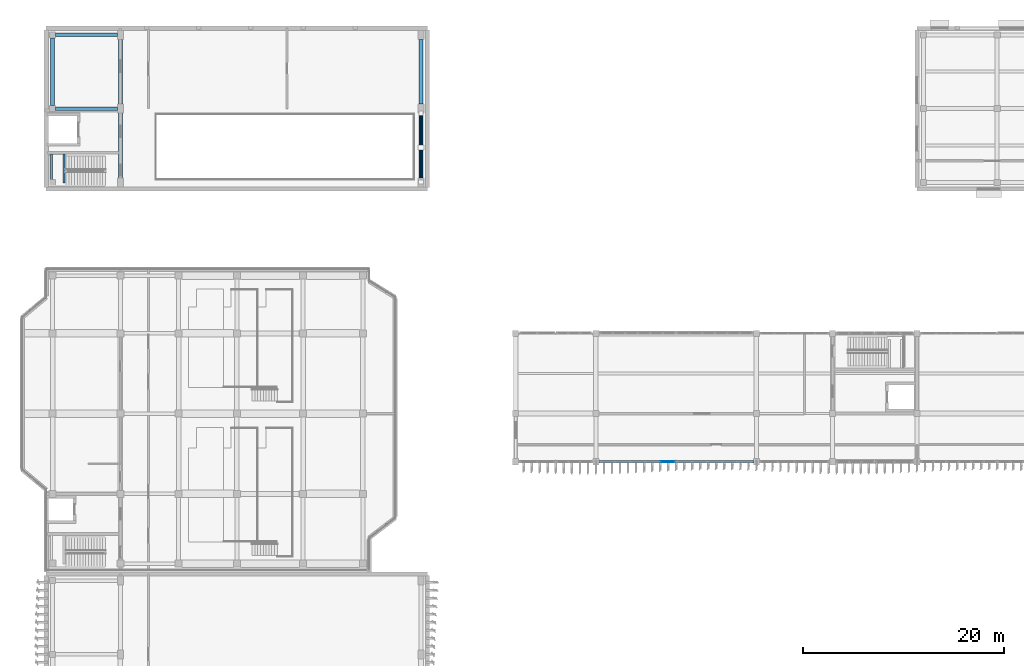
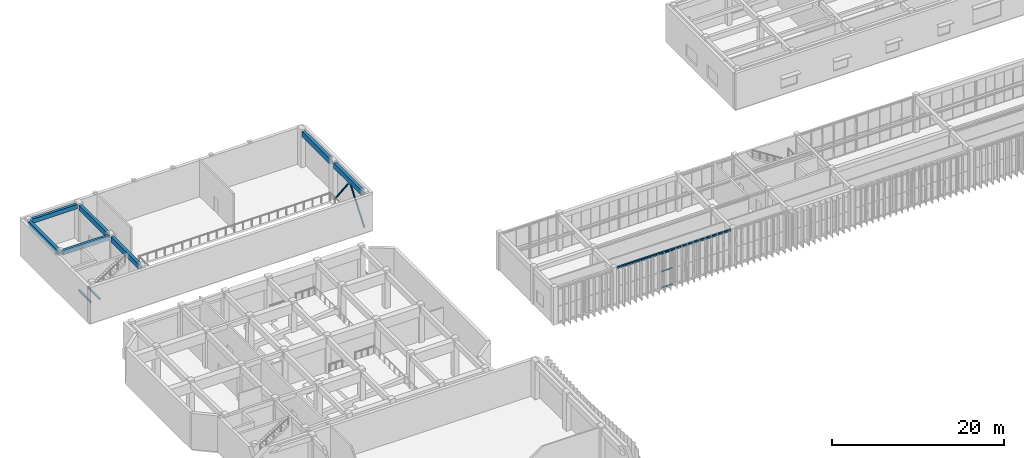
# One storey, part 11 of 64: 10 beams, 5 members, 1 element without a shape of its own.
"""IFC4 building model written with IfcOpenShell, lengths in metres."""

from ifc_helpers import new_model, si_unit, direction, frame, origin, origin_2d, place, context, subcontext, project, spatial, rectangle, hollow_circle, i_section, extrude, material, layer, layer_set, material_profile, profile_set, type_object, element, aggregate, save


model = new_model("IFC4")

# Units and contexts
model_context = context("Model", 3, precision=1e-05, world=origin(), true_north=direction((0.0, 1.0)))
body_context = subcontext(model_context, "Body", "Model", "MODEL_VIEW")
ifc_project = project(units=[si_unit("LENGTHUNIT", "METRE"), si_unit("AREAUNIT", "SQUARE_METRE"), si_unit("VOLUMEUNIT", "CUBIC_METRE"), si_unit("PLANEANGLEUNIT", "RADIAN"), si_unit("MASSUNIT", "GRAM", prefix="KILO")], contexts=[model_context])

# Site, building, storey
site_placement = place(None, origin())
site = spatial("IfcSite", under=ifc_project, at=site_placement, CompositionType="ELEMENT")
building_placement = place(site_placement, origin())
building = spatial("IfcBuilding", under=site, at=building_placement, Name="Cinchona Park Media Centre", CompositionType="ELEMENT")
storey_placement = place(building_placement, frame((0.0, 0.0, 10.199951171875)))
storey = spatial("IfcBuildingStorey", under=building, at=storey_placement, Name="L02", CompositionType="ELEMENT", Elevation=10.199951171875)

# Beams
ifc_material_1 = material(Name="Concrete C35/45", Category="concrete")
ifc_material_profile_1 = material_profile(ifc_material_1, rectangle(XDim=0.39990234375, YDim=0.75, at=origin_2d()), Name="RB 400X750")
ifc_profile_set_1 = profile_set([ifc_material_profile_1], Name="Concrete C35/45")
beam_type_1 = type_object("IfcBeamType", Name="BEAM-B01-RB400X750", PredefinedType="BEAM", material=ifc_profile_set_1)
beam_1_placement = place(storey_placement, frame((8.639892578125, 110.300048828125, 4.78515625), z_axis=(0.0, 1.0, 0.0), x_axis=(-1.0, 0.0, 0.0)))
element("IfcBeam", 1, at=beam_1_placement, inside=storey, type_object=beam_type_1, Name="Girder B01 L02", PredefinedType="BEAM", context=body_context, shape_type="SweptSolid", body=[
    extrude(rectangle(XDim=0.39990234375, YDim=0.75, at=origin_2d()), origin(), (0.0, 0.0, 1.0), 6.760009765625),
])
for number, where, z_axis, x_axis, name in (
    (2, (15.39990234375, 103.090087890625, 4.78515625), (0.0, 1.0, 0.0), (-1.0, 0.0, 0.0), "Girder B01 L02"),
    (3, (15.39990234375, 110.449951171875, 4.78515625), (0.0, 1.0, 0.0), (-1.0, 0.0, 0.0), "Girder B01 L02"),
    (4, (45.360107421875, 103.090087890625, 4.78515625), (0.0, 1.0, 0.0), (-1.0, 0.0, 0.0), "Girder B01 L02"),
    (5, (45.360107421875, 110.449951171875, 4.78515625), (0.0, 1.0, 0.0), (-1.0, 0.0, 0.0), "Girder B01 L02"),
):
    element("IfcBeam", number, at=place(storey_placement, frame(where, z_axis=z_axis, x_axis=x_axis)), inside=storey, type_object=beam_type_1, Name=name, PredefinedType="BEAM", context=body_context, shape_type="SweptSolid", body=[
        extrude(rectangle(XDim=0.39990234375, YDim=0.75, at=origin_2d()), origin(), (0.0, 0.0, 1.0), 6.4599609375),
    ])
ifc_material_2 = material(Name="Concrete C35/45", Category="concrete")
ifc_material_profile_2 = material_profile(ifc_material_2, rectangle(XDim=0.35009765625, YDim=0.64990234375, at=origin_2d()), Name="RB 350X650")
ifc_profile_set_2 = profile_set([ifc_material_profile_2], Name="Concrete C35/45")
beam_type_2 = type_object("IfcBeamType", Name="BEAM-B04-RB350X650", PredefinedType="BEAM", material=ifc_profile_set_2)
for number, where, z_axis, x_axis, name in (
    (6, (8.93994140625, 110.0, 4.8349609375), (1.0, 0.0, 0.0), (0.0, 1.0, 0.0), "Beam B04 L02"),
    (7, (8.93994140625, 117.360107421875, 4.8349609375), (1.0, 0.0, 0.0), (0.0, 1.0, 0.0), "Beam B04 L02"),
):
    element("IfcBeam", number, at=place(storey_placement, frame(where, z_axis=z_axis, x_axis=x_axis)), inside=storey, type_object=beam_type_2, Name=name, PredefinedType="BEAM", context=body_context, shape_type="SweptSolid", body=[
        extrude(rectangle(XDim=0.35009765625, YDim=0.64990234375, at=origin_2d()), origin(), (0.0, 0.0, 1.0), 6.16015625),
    ])
ifc_material_3 = material(Name="Steel S355", Category="steel")
ifc_material_profile_3 = material_profile(ifc_material_3, i_section(OverallWidth=0.202880859375, OverallDepth=0.251953125, WebThickness=0.008056640625, FlangeThickness=0.013427734375, at=origin_2d()), Name="W250X58")
ifc_profile_set_3 = profile_set([ifc_material_profile_3], Name="Steel S355")
beam_type_3 = type_object("IfcBeamType", Name="BEAM-B09-W250X58", PredefinedType="BEAM", material=ifc_profile_set_3)
beam_2_placement = place(storey_placement, frame((63.10009765625, 74.800048828125, 5.033935546875), z_axis=(1.0, 0.0, 0.0), x_axis=(0.0, 1.0, 0.0)))
element("IfcBeam", 8, at=beam_2_placement, inside=storey, type_object=beam_type_3, Name="Beam B09 L02", PredefinedType="BEAM", context=body_context, shape_type="SweptSolid", body=[
    extrude(i_section(OverallWidth=0.202880859375, OverallDepth=0.251953125, WebThickness=0.008056640625, FlangeThickness=0.013427734375, at=origin_2d()), origin(), (0.0, 0.0, 1.0), 15.39990234375),
])
ifc_material_4 = material(Name="Steel S355", Category="steel")
ifc_material_profile_4 = material_profile(ifc_material_4, i_section(OverallWidth=0.202880859375, OverallDepth=0.202880859375, WebThickness=0.007080078125, FlangeThickness=0.010986328125, at=origin_2d()), Name="W200X46")
ifc_profile_set_4 = profile_set([ifc_material_profile_4], Name="Steel S355")
beam_type_4 = type_object("IfcBeamType", Name="BEAM-B10-W200X46", PredefinedType="BEAM", material=ifc_profile_set_4)
for number, where, z_axis, x_axis, name in (
    (9, (8.5400390625, 105.47509765625, 2.3935546875), (0.0, -1.0, 0.0), (1.0, 0.0, 0.0), "Stair Landing Bearer Beam B10 ST4 L02"),
    (10, (9.760009765625, 105.47509765625, 2.3935546875), (0.0, -1.0, 0.0), (1.0, 0.0, 0.0), "Stair Landing Bearer Beam B10 ST4 L02"),
):
    element("IfcBeam", number, at=place(storey_placement, frame(where, z_axis=z_axis, x_axis=x_axis)), inside=storey, type_object=beam_type_4, Name=name, PredefinedType="BEAM", context=body_context, shape_type="SweptSolid", body=[
        extrude(i_section(OverallWidth=0.202880859375, OverallDepth=0.202880859375, WebThickness=0.007080078125, FlangeThickness=0.010986328125, at=origin_2d()), origin(), (0.0, 0.0, 1.0), 2.875),
    ])

# Members
ifc_material_5 = material(Name="Steel S355", Category="steel")
ifc_material_profile_5 = material_profile(ifc_material_5, hollow_circle(Radius=0.109619140625, WallThickness=0.012451171875, at=origin_2d()), Name="219.1X12.5CHS")
ifc_profile_set_5 = profile_set([ifc_material_profile_5], Name="Steel S355")
member_type_1 = type_object("IfcMemberType", Name="MEMBER-BR02-CHS219.1X12.5", PredefinedType="BRACE", material=ifc_profile_set_5)
member_1_placement = place(storey_placement, frame((45.360107421875, 102.695068359375, 0.005126953125), z_axis=(0.0, 0.609515473914, 0.792774171539), x_axis=(-1.0, 0.0, 0.0)))
element("IfcMember", 11, at=member_1_placement, inside=storey, type_object=member_type_1, Name="Vertical Chevron Brace BR02 L02", PredefinedType="BRACE", context=body_context, shape_type="SweptSolid", body=[
    extrude(hollow_circle(Radius=0.109619140625, WallThickness=0.012451171875, at=origin_2d()), origin(), (0.0, 0.0, 1.0), 5.619384765625),
])
member_2_placement = place(storey_placement, frame((45.360107421875, 109.544921875, 0.005126953125), z_axis=(0.0, -0.609488166898, 0.792795165482), x_axis=(1.0, 0.0, 0.0)))
element("IfcMember", 12, at=member_2_placement, inside=storey, type_object=member_type_1, Name="Vertical Chevron Brace BR02 L02", PredefinedType="BRACE", context=body_context, shape_type="SweptSolid", body=[
    extrude(hollow_circle(Radius=0.109619140625, WallThickness=0.012451171875, at=origin_2d()), origin(), (0.0, 0.0, 1.0), 5.619140625),
])

# Curtain wall, members
ifc_material_6 = material(Name="Aluminium Curtain Wall Framing", Category="aluminium")
ifc_layer = layer(ifc_material_6, 0.27001953125)
ifc_layer_set = layer_set([ifc_layer], Name="Aluminium Curtain Wall Framing")
curtain_wall_type = type_object("IfcCurtainWallType", Name="CW-CW07", PredefinedType="USERDEFINED", material=ifc_layer_set)
curtain_wall_placement = place(storey_placement, origin())
curtain_wall = element("IfcCurtainWall", 13, at=curtain_wall_placement, inside=storey, type_object=curtain_wall_type, Name="Curtain Wall CW07 L02", ObjectType="UNITISED CURTAIN WALL", PredefinedType="USERDEFINED")
ifc_material_7 = material(Name="Anodised Aluminium Alloy 6063-T6", Category="aluminium")
ifc_material_profile_6 = material_profile(ifc_material_7, rectangle(XDim=0.074951171875, YDim=0.159912109375, at=origin_2d()), Name="TRN-75X160")
ifc_profile_set_6 = profile_set([ifc_material_profile_6], Name="Anodised Aluminium Alloy 6063-T6")
member_type_2 = type_object("IfcMemberType", Name="TRANSOM-TRN03", PredefinedType="USERDEFINED", material=ifc_profile_set_6)
member_3_placement = place(storey_placement, frame((70.64501953125, 74.800048828125, 0.087646484375), z_axis=(-1.0, 0.0, 0.0), x_axis=(0.0, -1.0, 0.0)))
member_3 = element("IfcMember", 14, at=member_3_placement, type_object=member_type_2, Name="CW07 transom 1.1", ObjectType="TRANSOM", PredefinedType="USERDEFINED", context=body_context, shape_type="SweptSolid", body=[
    extrude(rectangle(XDim=0.074951171875, YDim=0.159912109375, at=origin_2d()), origin(), (0.0, 0.0, 1.0), 1.387451171875),
])
member_4_placement = place(storey_placement, frame((70.64501953125, 74.800048828125, 2.382080078125), z_axis=(-1.0, 0.0, 0.0), x_axis=(0.0, -1.0, 0.0)))
member_4 = element("IfcMember", 15, at=member_4_placement, type_object=member_type_2, Name="CW07 transom 1.2", ObjectType="TRANSOM", PredefinedType="USERDEFINED", context=body_context, shape_type="SweptSolid", body=[
    extrude(rectangle(XDim=0.074951171875, YDim=0.159912109375, at=origin_2d()), origin(), (0.0, 0.0, 1.0), 1.387451171875),
])
member_5_placement = place(storey_placement, frame((70.64501953125, 74.800048828125, 4.87060546875), z_axis=(-1.0, 0.0, 0.0), x_axis=(0.0, -1.0, 0.0)))
member_5 = element("IfcMember", 16, at=member_5_placement, type_object=member_type_2, Name="CW07 transom 1.3", ObjectType="TRANSOM", PredefinedType="USERDEFINED", context=body_context, shape_type="SweptSolid", body=[
    extrude(rectangle(XDim=0.074951171875, YDim=0.159912109375, at=origin_2d()), origin(), (0.0, 0.0, 1.0), 1.387451171875),
])
aggregate(curtain_wall, [member_3, member_4, member_5])

save(model, "model.ifc")
